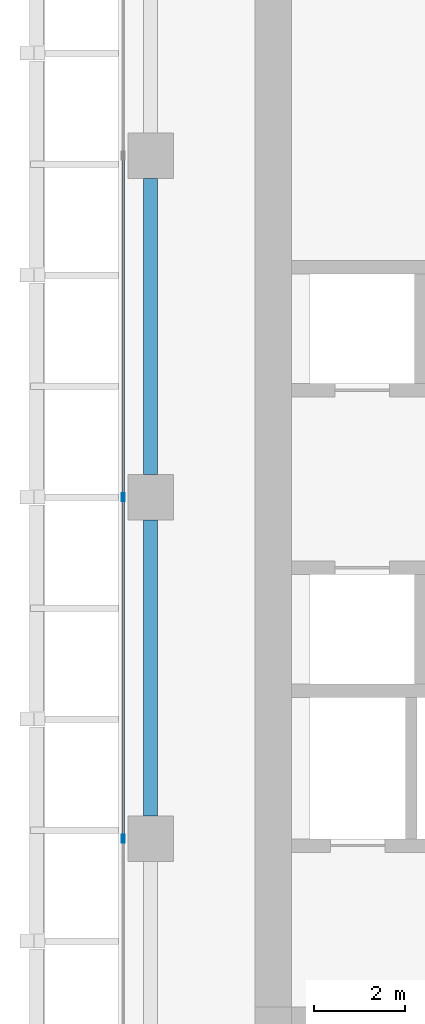
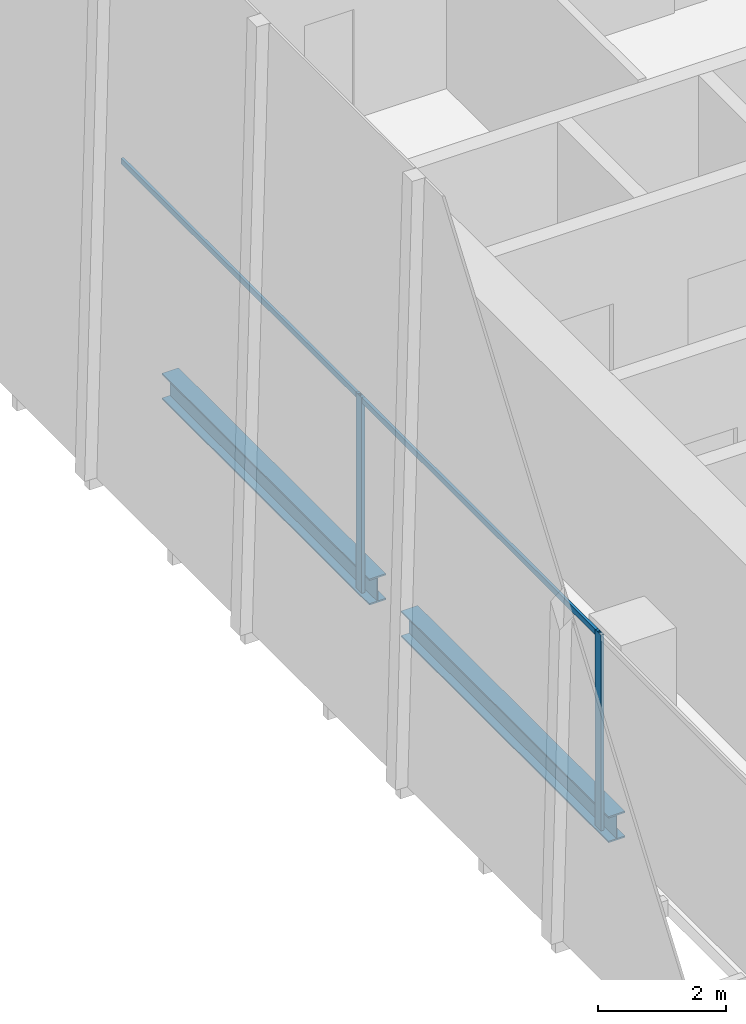
# One storey, part 7 of 35: 4 members, 2 beams, 1 element without a shape of its own.
"""IFC4 building model written with IfcOpenShell, lengths in metres."""

from ifc_helpers import new_model, si_unit, direction, frame, origin, origin_2d, place, context, subcontext, project, spatial, hollow_rectangle, i_section, extrude, source, transform, mapped, material, material_profile, profile_set, type_object, element, aggregate, save


model = new_model("IFC4")

# Units and contexts
model_context = context("Model", 3, precision=1e-05, world=origin(), true_north=direction((0.0, 1.0)))
body_context = subcontext(model_context, "Body", "Model", "MODEL_VIEW")
ifc_project = project(units=[si_unit("LENGTHUNIT", "METRE"), si_unit("AREAUNIT", "SQUARE_METRE"), si_unit("VOLUMEUNIT", "CUBIC_METRE"), si_unit("PLANEANGLEUNIT", "RADIAN"), si_unit("MASSUNIT", "GRAM", prefix="KILO")], contexts=[model_context])

# Site, building, storey
site_placement = place(None, origin())
site = spatial("IfcSite", under=ifc_project, at=site_placement, CompositionType="ELEMENT")
building_placement = place(site_placement, origin())
building = spatial("IfcBuilding", under=site, at=building_placement, Name="Khomas Fold Tower", CompositionType="ELEMENT")
storey_placement = place(building_placement, frame((0.0, 0.0, 188.699951171875)))
storey = spatial("IfcBuildingStorey", under=building, at=storey_placement, Name="L41", CompositionType="ELEMENT", Elevation=188.699951171875)

# Beams
ifc_material_1 = material(Name="Steel S355", Category="steel")
ifc_material_profile_1 = material_profile(ifc_material_1, i_section(OverallWidth=0.300048828125, OverallDepth=0.5, WebThickness=0.014404296875, FlangeThickness=0.028076171875, at=origin_2d()), Name="HE 500 B")
ifc_profile_set_1 = profile_set([ifc_material_profile_1], Name="Steel S355")
beam_type = type_object("IfcBeamType", Name="HE 500 B spandrel SB3", PredefinedType="SPANDREL", material=ifc_profile_set_1)
shared_shape_1 = source(origin(), body_context, "Body", "SweptSolid", [
    extrude(i_section(OverallWidth=0.300048828125, OverallDepth=0.5, WebThickness=0.014404296875, FlangeThickness=0.028076171875, at=origin_2d()), origin(), (0.0, 0.0, 1.0), 6.5),
])
for number, where, z_axis, x_axis, name in (
    (1, (3.699951171875, 27.5, -0.5), (0.0, 1.0, 0.0), (-1.0, 0.0, 0.0), "SB3"),
    (2, (3.699951171875, 20.0, -0.5), (0.0, 1.0, 0.0), (-1.0, 0.0, 0.0), "SB3"),
):
    element("IfcBeam", number, at=place(storey_placement, frame(where, z_axis=z_axis, x_axis=x_axis)), inside=storey, type_object=beam_type, Name=name, PredefinedType="SPANDREL", context=body_context, shape_type="MappedRepresentation", body=[
        mapped(shared_shape_1, transform((0.0, 0.0, 0.0))),
    ])

# Curtain wall, members
ifc_material_2 = material(Name="Aluminium framed double glazing", Category="aluminium")
curtain_wall_type = type_object("IfcCurtainWallType", Name="SK-Unitised clear-glass wall, office floors CW2", PredefinedType="NOTDEFINED", material=ifc_material_2)
curtain_wall_placement = place(storey_placement, origin())
curtain_wall = element("IfcCurtainWall", 3, at=curtain_wall_placement, inside=storey, type_object=curtain_wall_type, Name="CW2 run L41 09-0", PredefinedType="NOTDEFINED")
ifc_material_3 = material(Name="Aluminium", Category="aluminium")
ifc_material_profile_2 = material_profile(ifc_material_3, hollow_rectangle(XDim=0.06005859375, YDim=0.179931640625, WallThickness=0.00390625, at=origin_2d()), Name="SK-Unitised clear-glass wall, office floors mullion CW2-M")
ifc_profile_set_2 = profile_set([ifc_material_profile_2], Name="Aluminium")
member_type_1 = type_object("IfcMemberType", Name="SK-Unitised clear-glass wall, office floors mullion CW2-M", PredefinedType="MULLION", material=ifc_profile_set_2)
shared_shape_2 = source(origin(), body_context, "Body", "SweptSolid", [
    extrude(hollow_rectangle(XDim=0.06005859375, YDim=0.179931640625, WallThickness=0.00390625, at=origin_2d()), origin(), (0.0, 0.0, 1.0), 3.75),
])
member_1_placement = place(storey_placement, frame((3.10009765625, 27.0, 0.0), z_axis=(0.0, 0.0, 1.0), x_axis=(1.0, 0.0, 0.0)))
member_1 = element("IfcMember", 4, at=member_1_placement, type_object=member_type_1, Name="CW2 mullion 5", PredefinedType="MULLION", context=body_context, shape_type="MappedRepresentation", body=[
    mapped(shared_shape_2, transform((0.0, 0.0, 0.0))),
])
member_2_placement = place(storey_placement, frame((3.10009765625, 19.5, 0.0), z_axis=(0.0, 0.0, 1.0), x_axis=(1.0, 0.0, 0.0)))
member_2 = element("IfcMember", 5, at=member_2_placement, type_object=member_type_1, Name="CW2 mullion 6", PredefinedType="MULLION", context=body_context, shape_type="MappedRepresentation", body=[
    mapped(shared_shape_2, transform((0.0, 0.0, 0.0))),
])
ifc_material_4 = material(Name="Aluminium", Category="aluminium")
ifc_material_profile_3 = material_profile(ifc_material_4, hollow_rectangle(XDim=0.050048828125, YDim=0.110107421875, WallThickness=0.00390625, at=origin_2d()), Name="SK-Unitised clear-glass wall, office floors transom CW2-T")
ifc_profile_set_3 = profile_set([ifc_material_profile_3], Name="Aluminium")
member_type_2 = type_object("IfcMemberType", Name="SK-Unitised clear-glass wall, office floors transom CW2-T", PredefinedType="USERDEFINED", material=ifc_profile_set_3)
shared_shape_3 = source(origin(), body_context, "Body", "SweptSolid", [
    extrude(hollow_rectangle(XDim=0.050048828125, YDim=0.110107421875, WallThickness=0.00390625, at=origin_2d()), origin(), (0.0, 0.0, 1.0), 7.43994140625),
])
member_3_placement = place(storey_placement, frame((3.10009765625, 34.469970703125, 3.695068359375), z_axis=(0.0, -1.0, 0.0), x_axis=(1.0, 0.0, 0.0)))
member_3 = element("IfcMember", 6, at=member_3_placement, type_object=member_type_2, Name="CW2 transom 4", ObjectType="TRANSOM", PredefinedType="USERDEFINED", context=body_context, shape_type="MappedRepresentation", body=[
    mapped(shared_shape_3, transform((0.0, 0.0, 0.0))),
])
member_4_placement = place(storey_placement, frame((3.10009765625, 26.969970703125, 3.695068359375), z_axis=(0.0, -1.0, 0.0), x_axis=(1.0, 0.0, 0.0)))
member_4 = element("IfcMember", 7, at=member_4_placement, type_object=member_type_2, Name="CW2 transom 5", ObjectType="TRANSOM", PredefinedType="USERDEFINED", context=body_context, shape_type="MappedRepresentation", body=[
    mapped(shared_shape_3, transform((0.0, 0.0, 0.0))),
])
aggregate(curtain_wall, [member_1, member_2, member_3, member_4])

save(model, "model.ifc")
